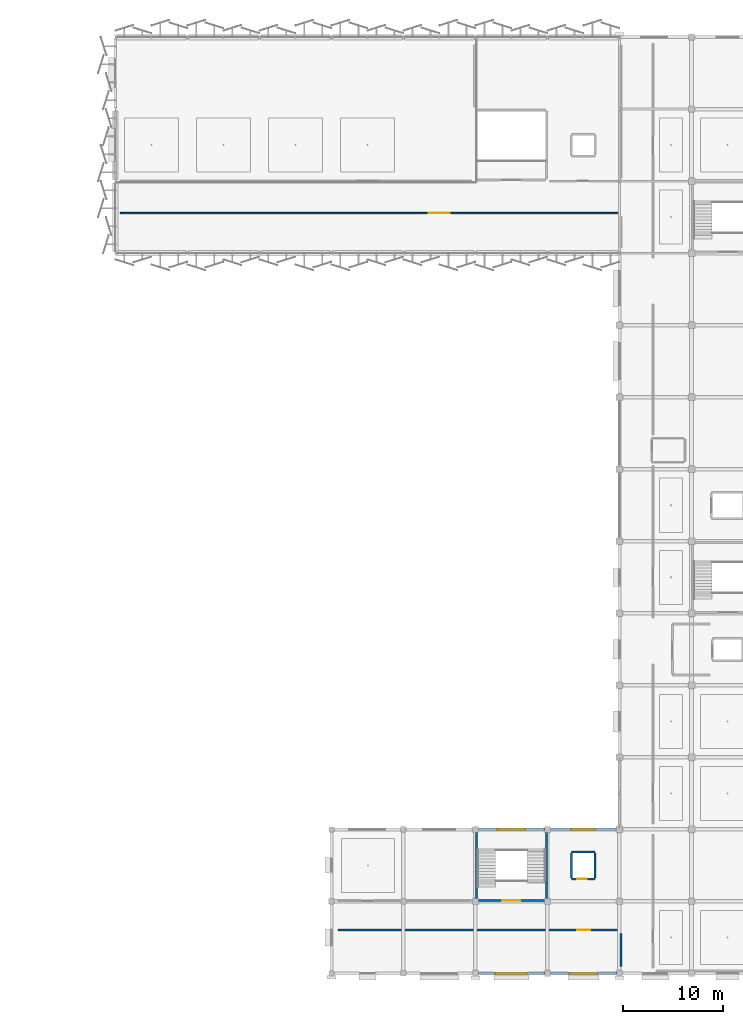
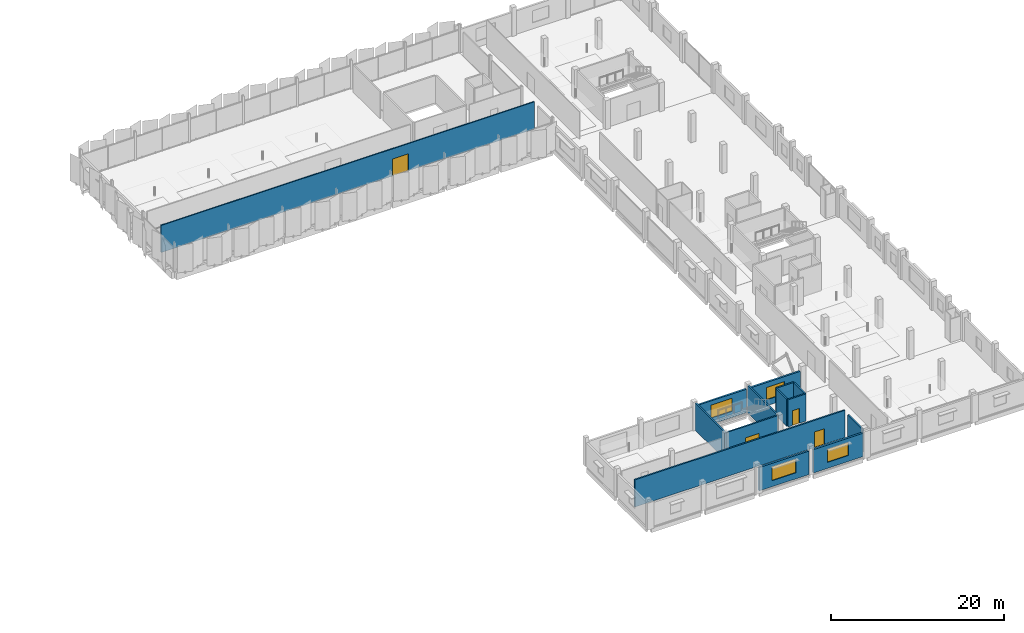
# One storey, part 56 of 77: 14 walls, 4 doors, 4 windows, 8 openings.
"""IFC4 building model written with IfcOpenShell, lengths in metres."""

from ifc_helpers import new_model, si_unit, direction, frame, frame_2d, origin, place, context, subcontext, project, spatial, rectangle, extrude, material, layer, layer_set, type_object, element, fill, save


model = new_model("IFC4")

# Units and contexts
model_context = context("Model", 3, precision=1e-05, world=origin(), true_north=direction((0.0, 1.0)))
body_context = subcontext(model_context, "Body", "Model", "MODEL_VIEW")
ifc_project = project(units=[si_unit("LENGTHUNIT", "METRE"), si_unit("AREAUNIT", "SQUARE_METRE"), si_unit("VOLUMEUNIT", "CUBIC_METRE"), si_unit("PLANEANGLEUNIT", "RADIAN"), si_unit("MASSUNIT", "GRAM", prefix="KILO")], contexts=[model_context])

# Site, building, storey
site_placement = place(None, origin())
site = spatial("IfcSite", under=ifc_project, at=site_placement, CompositionType="ELEMENT")
building_placement = place(site_placement, origin())
building = spatial("IfcBuilding", under=site, at=building_placement, Name="Kangsadwip Square Police Headquarters", CompositionType="ELEMENT")
storey_placement = place(building_placement, frame((0.0, 0.0, 17.550048828125)))
storey = spatial("IfcBuildingStorey", under=building, at=storey_placement, Name="L04", CompositionType="ELEMENT", Elevation=17.550048828125)

# Wall, opening, door
ifc_material_1 = material(Name="Autoclaved aerated concrete blockwork masonry", Category="masonry")
ifc_layer_1 = layer(ifc_material_1, 0.14990234375)
ifc_layer_set_1 = layer_set([ifc_layer_1], Name="Autoclaved aerated concrete blockwork masonry")
wall_type_1 = type_object("IfcWallType", Name="BlockPartition150", PredefinedType="PARTITIONING", material=ifc_layer_set_1)
wall_1_placement = place(storey_placement, frame((94.10009765625, 97.60009765625, 0.0), z_axis=(0.0, 0.0, 1.0), x_axis=(1.0, 0.0, 0.0)))
wall_1 = element("IfcWall", 1, at=wall_1_placement, inside=storey, type_object=wall_type_1, Name="Interior Wall WI-L04-0852", PredefinedType="PARTITIONING", context=body_context, shape_type="SweptSolid", body=[
    extrude(rectangle(XDim=49.75, YDim=0.14990234375, at=frame_2d((24.875, 0.0))), origin(), (0.0, 0.0, 1.0), 3.829833984375),
])
opening_1_placement = place(wall_1_placement, frame((30.846923828125, 0.0, 0.0)))
opening_1 = element("IfcOpeningElement", 2, at=opening_1_placement, cuts=wall_1, Name="Opening ID-21", PredefinedType="OPENING", context=body_context, shape_type="SweptSolid", body=[
    extrude(rectangle(XDim=2.10009765625, YDim=2.39990234375, at=frame_2d((1.050048828125, 1.199951171875))), frame((0.0, 0.0849609375, 0.0), z_axis=(0.0, -1.0, 0.0), x_axis=(1.0, 0.0, 0.0)), (0.0, 0.0, 1.0), 0.169921875),
])
ifc_material_2 = material(Name="Solid-core seasoned teak hardwood architectural door", Category="wood")
door_type_1 = type_object("IfcDoorType", Name="HallDoubleDoor2100x2400", OperationType="DOUBLE_DOOR_SINGLE_SWING", PredefinedType="DOOR", material=ifc_material_2)
door_1_placement = place(opening_1_placement, origin())
door_1 = element("IfcDoor", 3, at=door_1_placement, inside=storey, type_object=door_type_1, Name="Interior Door ID-L04-0227", OperationType="DOUBLE_DOOR_SINGLE_SWING", OverallHeight=2.39990234375, OverallWidth=2.10009765625, PredefinedType="DOOR", context=body_context, shape_type="SweptSolid", body=[
    extrude(rectangle(XDim=2.10009765625, YDim=2.39990234375, at=frame_2d((1.050048828125, 1.199951171875))), frame((0.0, 0.02490234375, 0.0), z_axis=(0.0, -1.0, 0.0), x_axis=(1.0, 0.0, 0.0)), (0.0, 0.0, 1.0), 0.050048828125),
])
fill(opening_1, door_1)

# Wall, opening, window
ifc_material_3 = material(Name="Glazed architectural terracotta masonry rainscreen", Category="masonry")
ifc_layer_2 = layer(ifc_material_3, 0.25)
ifc_layer_set_2 = layer_set([ifc_layer_2], Name="Glazed architectural terracotta masonry rainscreen")
wall_type_2 = type_object("IfcWallType", Name="ChicagoTerracottaWall250", PredefinedType="SOLIDWALL", material=ifc_layer_set_2)
wall_2_placement = place(storey_placement, frame((129.89501953125, 21.60009765625, 0.0), z_axis=(0.0, 0.0, 1.0), x_axis=(1.0, 0.0, 0.0)))
wall_2 = element("IfcWall", 4, at=wall_2_placement, inside=storey, type_object=wall_type_2, Name="Exterior Wall WE-L04-423", PredefinedType="SOLIDWALL", context=body_context, shape_type="SweptSolid", body=[
    extrude(rectangle(XDim=6.60986328125, YDim=0.25, at=frame_2d((3.304931640625, 0.0))), origin(), (0.0, 0.0, 1.0), 3.294921875),
])
opening_2_placement = place(wall_2_placement, frame((1.705078125, 0.0, 0.85009765625)))
opening_2 = element("IfcOpeningElement", 5, at=opening_2_placement, cuts=wall_2, Name="Opening WN-03", PredefinedType="OPENING", context=body_context, shape_type="SweptSolid", body=[
    extrude(rectangle(XDim=3.199951171875, YDim=1.949951171875, at=frame_2d((1.60009765625, 0.97509765625))), frame((0.0, 0.135009765625, 0.0), z_axis=(0.0, -1.0, 0.0), x_axis=(1.0, 0.0, 0.0)), (0.0, 0.0, 1.0), 0.27001953125),
])
ifc_material_4 = material(Name="Double-glazed solar-control low-E safety glass", Category="glass")
window_type_1 = type_object("IfcWindowType", Name="ChicagoTripartiteWin3200x1950", PartitioningType="TRIPLE_PANEL_HORIZONTAL", PredefinedType="WINDOW", material=ifc_material_4)
window_1_placement = place(opening_2_placement, origin())
window_1 = element("IfcWindow", 6, at=window_1_placement, inside=storey, type_object=window_type_1, Name="Window WN-L04-0274", OverallHeight=1.949951171875, OverallWidth=3.199951171875, PartitioningType="SINGLE_PANEL", PredefinedType="WINDOW", context=body_context, shape_type="SweptSolid", body=[
    extrude(rectangle(XDim=3.199951171875, YDim=1.949951171875, at=frame_2d((1.60009765625, 0.97509765625))), frame((0.0, 0.030029296875, 0.0), z_axis=(0.0, -1.0, 0.0), x_axis=(1.0, 0.0, 0.0)), (0.0, 0.0, 1.0), 0.06005859375),
])
fill(opening_2, window_1)

wall_3_placement = place(storey_placement, frame((137.094970703125, 21.60009765625, 0.0), z_axis=(0.0, 0.0, 1.0), x_axis=(1.0, 0.0, 0.0)))
wall_3 = element("IfcWall", 7, at=wall_3_placement, inside=storey, type_object=wall_type_2, Name="Exterior Wall WE-L04-424", PredefinedType="SOLIDWALL", context=body_context, shape_type="SweptSolid", body=[
    extrude(rectangle(XDim=6.610107421875, YDim=0.25, at=frame_2d((3.30517578125, 0.0))), origin(), (0.0, 0.0, 1.0), 3.294921875),
])
opening_3_placement = place(wall_3_placement, frame((1.905029296875, 0.0, 0.85009765625)))
opening_3 = element("IfcOpeningElement", 8, at=opening_3_placement, cuts=wall_3, Name="Opening WN-05", PredefinedType="OPENING", context=body_context, shape_type="SweptSolid", body=[
    extrude(rectangle(XDim=2.800048828125, YDim=1.85009765625, at=frame_2d((1.39990234375, 0.925048828125))), frame((0.0, 0.135009765625, 0.0), z_axis=(0.0, -1.0, 0.0), x_axis=(1.0, 0.0, 0.0)), (0.0, 0.0, 1.0), 0.27001953125),
])
ifc_material_5 = material(Name="Double-glazed solar-control low-E safety glass", Category="glass")
window_type_2 = type_object("IfcWindowType", Name="ChicagoDoubleMullWin2800x1850", PartitioningType="DOUBLE_PANEL_VERTICAL", PredefinedType="WINDOW", material=ifc_material_5)
window_2_placement = place(opening_3_placement, origin())
window_2 = element("IfcWindow", 9, at=window_2_placement, inside=storey, type_object=window_type_2, Name="Window WN-L04-0275", OverallHeight=1.85009765625, OverallWidth=2.800048828125, PartitioningType="SINGLE_PANEL", PredefinedType="WINDOW", context=body_context, shape_type="SweptSolid", body=[
    extrude(rectangle(XDim=2.800048828125, YDim=1.85009765625, at=frame_2d((1.39990234375, 0.925048828125))), frame((0.0, 0.030029296875, 0.0), z_axis=(0.0, -1.0, 0.0), x_axis=(1.0, 0.0, 0.0)), (0.0, 0.0, 1.0), 0.06005859375),
])
fill(opening_3, window_2)

wall_4_placement = place(storey_placement, frame((129.89501953125, 36.0, 0.0), z_axis=(0.0, 0.0, 1.0), x_axis=(1.0, 0.0, 0.0)))
wall_4 = element("IfcWall", 10, at=wall_4_placement, inside=storey, type_object=wall_type_2, Name="Exterior Wall WE-L04-433", PredefinedType="SOLIDWALL", context=body_context, shape_type="SweptSolid", body=[
    extrude(rectangle(XDim=6.60986328125, YDim=0.25, at=frame_2d((3.304931640625, 0.0))), origin(), (0.0, 0.0, 1.0), 3.294921875),
])
opening_4_placement = place(wall_4_placement, frame((1.905029296875, 0.0, 0.85009765625)))
opening_4 = element("IfcOpeningElement", 11, at=opening_4_placement, cuts=wall_4, Name="Opening WN-05", PredefinedType="OPENING", context=body_context, shape_type="SweptSolid", body=[
    extrude(rectangle(XDim=2.800048828125, YDim=1.85009765625, at=frame_2d((1.39990234375, 0.925048828125))), frame((0.0, 0.135009765625, 0.0), z_axis=(0.0, -1.0, 0.0), x_axis=(1.0, 0.0, 0.0)), (0.0, 0.0, 1.0), 0.27001953125),
])
window_3_placement = place(opening_4_placement, origin())
window_3 = element("IfcWindow", 12, at=window_3_placement, inside=storey, type_object=window_type_2, Name="Window WN-L04-0284", OverallHeight=1.85009765625, OverallWidth=2.800048828125, PartitioningType="SINGLE_PANEL", PredefinedType="WINDOW", context=body_context, shape_type="SweptSolid", body=[
    extrude(rectangle(XDim=2.800048828125, YDim=1.85009765625, at=frame_2d((1.39990234375, 0.925048828125))), frame((0.0, 0.030029296875, 0.0), z_axis=(0.0, -1.0, 0.0), x_axis=(1.0, 0.0, 0.0)), (0.0, 0.0, 1.0), 0.06005859375),
])
fill(opening_4, window_3)

wall_5_placement = place(storey_placement, frame((137.094970703125, 36.0, 0.0), z_axis=(0.0, 0.0, 1.0), x_axis=(1.0, 0.0, 0.0)))
wall_5 = element("IfcWall", 13, at=wall_5_placement, inside=storey, type_object=wall_type_2, Name="Exterior Wall WE-L04-434", PredefinedType="SOLIDWALL", context=body_context, shape_type="SweptSolid", body=[
    extrude(rectangle(XDim=6.5849609375, YDim=0.25, at=frame_2d((3.29248046875, 0.0))), origin(), (0.0, 0.0, 1.0), 3.294921875),
])
opening_5_placement = place(wall_5_placement, frame((2.092529296875, 0.0, 0.85009765625)))
opening_5 = element("IfcOpeningElement", 14, at=opening_5_placement, cuts=wall_5, Name="Opening WN-07", PredefinedType="OPENING", context=body_context, shape_type="SweptSolid", body=[
    extrude(rectangle(XDim=2.39990234375, YDim=1.75, at=frame_2d((1.199951171875, 0.875))), frame((0.0, 0.135009765625, 0.0), z_axis=(0.0, -1.0, 0.0), x_axis=(1.0, 0.0, 0.0)), (0.0, 0.0, 1.0), 0.27001953125),
])
ifc_material_6 = material(Name="Double-glazed solar-control low-E safety glass", Category="glass")
window_type_3 = type_object("IfcWindowType", Name="ChicagoDoubleMullWin2400x1750", PartitioningType="DOUBLE_PANEL_VERTICAL", PredefinedType="WINDOW", material=ifc_material_6)
window_4_placement = place(opening_5_placement, origin())
window_4 = element("IfcWindow", 15, at=window_4_placement, inside=storey, type_object=window_type_3, Name="Window WN-L04-0285", OverallHeight=1.75, OverallWidth=2.39990234375, PartitioningType="SINGLE_PANEL", PredefinedType="WINDOW", context=body_context, shape_type="SweptSolid", body=[
    extrude(rectangle(XDim=2.39990234375, YDim=1.75, at=frame_2d((1.199951171875, 0.875))), frame((0.0, 0.030029296875, 0.0), z_axis=(0.0, -1.0, 0.0), x_axis=(1.0, 0.0, 0.0)), (0.0, 0.0, 1.0), 0.06005859375),
])
fill(opening_5, window_4)

# Wall, opening, door
ifc_material_7 = material(Name="Concrete M40 (40 MPa)", Category="concrete")
ifc_layer_3 = layer(ifc_material_7, 0.199951171875)
ifc_layer_set_3 = layer_set([ifc_layer_3], Name="Concrete M40 (40 MPa)")
wall_type_3 = type_object("IfcWallType", Name="CoreShearWall200", PredefinedType="SHEAR", material=ifc_layer_set_3)
wall_6_placement = place(storey_placement, frame((129.800048828125, 28.89990234375, 0.0), z_axis=(0.0, 0.0, 1.0), x_axis=(1.0, 0.0, 0.0)))
wall_6 = element("IfcWall", 16, at=wall_6_placement, inside=storey, type_object=wall_type_3, Name="Interior Wall WI-L04-0193", PredefinedType="SHEAR", context=body_context, shape_type="SweptSolid", body=[
    extrude(rectangle(XDim=6.800048828125, YDim=0.199951171875, at=frame_2d((3.39990234375, 0.0))), origin(), (0.0, 0.0, 1.0), 3.829833984375),
])
opening_6_placement = place(wall_6_placement, frame((2.5, 0.0, 0.0)))
opening_6 = element("IfcOpeningElement", 17, at=opening_6_placement, cuts=wall_6, Name="Opening FD-18", PredefinedType="OPENING", context=body_context, shape_type="SweptSolid", body=[
    extrude(rectangle(XDim=1.800048828125, YDim=2.199951171875, at=frame_2d((0.89990234375, 1.10009765625))), frame((0.0, 0.10986328125, 0.0), z_axis=(0.0, -1.0, 0.0), x_axis=(1.0, 0.0, 0.0)), (0.0, 0.0, 1.0), 0.219970703125),
])
ifc_material_8 = material(Name="Insulated galvanized steel fire-rated door assembly", Category="steel")
door_type_2 = type_object("IfcDoorType", Name="StairFireDoor1800x2200", OperationType="DOUBLE_DOOR_SINGLE_SWING", PredefinedType="DOOR", material=ifc_material_8)
door_2_placement = place(opening_6_placement, origin())
door_2 = element("IfcDoor", 18, at=door_2_placement, inside=storey, type_object=door_type_2, Name="Interior Door ID-L04-0044", OperationType="DOUBLE_DOOR_SINGLE_SWING", OverallHeight=2.199951171875, OverallWidth=1.800048828125, PredefinedType="DOOR", context=body_context, shape_type="SweptSolid", body=[
    extrude(rectangle(XDim=1.800048828125, YDim=2.199951171875, at=frame_2d((0.89990234375, 1.10009765625))), frame((0.0, 0.02490234375, 0.0), z_axis=(0.0, -1.0, 0.0), x_axis=(1.0, 0.0, 0.0)), (0.0, 0.0, 1.0), 0.050048828125),
])
fill(opening_6, door_2)

# Walls
for number, where, z_axis, x_axis, name in (
    (19, (129.699951171875, 29.0, 0.0), (0.0, 0.0, 1.0), (0.0, 1.0, 0.0), "Interior Wall WI-L04-0194"),
    (20, (136.699951171875, 29.0, 0.0), (0.0, 0.0, 1.0), (0.0, 1.0, 0.0), "Interior Wall WI-L04-0195"),
):
    element("IfcWall", number, at=place(storey_placement, frame(where, z_axis=z_axis, x_axis=x_axis)), inside=storey, type_object=wall_type_3, Name=name, PredefinedType="SHEAR", context=body_context, shape_type="SweptSolid", body=[
        extrude(rectangle(XDim=6.800048828125, YDim=0.199951171875, at=frame_2d((3.39990234375, 0.0))), origin(), (0.0, 0.0, 1.0), 3.829833984375),
    ])

# Wall, opening, door
wall_7_placement = place(storey_placement, frame((139.22509765625, 31.050048828125, 0.0), z_axis=(0.0, 0.0, 1.0), x_axis=(1.0, 0.0, 0.0)))
wall_7 = element("IfcWall", 21, at=wall_7_placement, inside=storey, type_object=wall_type_3, Name="Interior Wall WI-L04-0503", PredefinedType="SHEAR", context=body_context, shape_type="SweptSolid", body=[
    extrude(rectangle(XDim=2.349853515625, YDim=0.199951171875, at=frame_2d((1.1748046875, 0.0))), origin(), (0.0, 0.0, 1.0), 3.829833984375),
])
opening_7_placement = place(wall_7_placement, frame((0.550048828125, 0.0, 0.0)))
opening_7 = element("IfcOpeningElement", 22, at=opening_7_placement, cuts=wall_7, Name="Opening LD-062", PredefinedType="OPENING", context=body_context, shape_type="SweptSolid", body=[
    extrude(rectangle(XDim=0.949951171875, YDim=2.10009765625, at=frame_2d((0.47509765625, 1.050048828125))), frame((0.0, 0.10986328125, 0.0), z_axis=(0.0, -1.0, 0.0), x_axis=(1.0, 0.0, 0.0)), (0.0, 0.0, 1.0), 0.219970703125),
])
ifc_material_9 = material(Name="Brushed stainless steel automatic sliding lift landing door", Category="steel")
door_type_3 = type_object("IfcDoorType", Name="LiftLandingDoor950x2100", OperationType="DOUBLE_DOOR_SLIDING", PredefinedType="DOOR", material=ifc_material_9)
door_3_placement = place(opening_7_placement, origin())
door_3 = element("IfcDoor", 23, at=door_3_placement, inside=storey, type_object=door_type_3, Name="Interior Door LD-062", OperationType="DOUBLE_DOOR_SLIDING", OverallHeight=2.10009765625, OverallWidth=0.949951171875, PredefinedType="DOOR", context=body_context, shape_type="SweptSolid", body=[
    extrude(rectangle(XDim=0.949951171875, YDim=2.10009765625, at=frame_2d((0.47509765625, 1.050048828125))), frame((0.0, 0.02490234375, 0.0), z_axis=(0.0, -1.0, 0.0), x_axis=(1.0, 0.0, 0.0)), (0.0, 0.0, 1.0), 0.050048828125),
])
fill(opening_7, door_3)

# Walls
wall_8_placement = place(storey_placement, frame((139.22509765625, 33.75, 0.0), z_axis=(0.0, 0.0, 1.0), x_axis=(1.0, 0.0, 0.0)))
element("IfcWall", 24, at=wall_8_placement, inside=storey, type_object=wall_type_3, Name="Interior Wall WI-L04-0504", PredefinedType="SHEAR", context=body_context, shape_type="SweptSolid", body=[
    extrude(rectangle(XDim=2.349853515625, YDim=0.199951171875, at=frame_2d((1.1748046875, 0.0))), origin(), (0.0, 0.0, 1.0), 3.829833984375),
])
for number, where, z_axis, x_axis, name in (
    (25, (139.22509765625, 31.14990234375, 0.0), (0.0, 0.0, 1.0), (0.0, 1.0, 0.0), "Interior Wall WI-L04-0505"),
    (26, (141.574951171875, 31.14990234375, 0.0), (0.0, 0.0, 1.0), (0.0, 1.0, 0.0), "Interior Wall WI-L04-0506"),
):
    element("IfcWall", number, at=place(storey_placement, frame(where, z_axis=z_axis, x_axis=x_axis)), inside=storey, type_object=wall_type_3, Name=name, PredefinedType="SHEAR", context=body_context, shape_type="SweptSolid", body=[
        extrude(rectangle(XDim=2.5, YDim=0.199951171875, at=frame_2d((1.25, 0.0))), origin(), (0.0, 0.0, 1.0), 3.829833984375),
    ])
ifc_material_10 = material(Name="Concrete M40 (40 MPa)", Category="concrete")
ifc_layer_4 = layer(ifc_material_10, 0.199951171875)
ifc_layer_set_4 = layer_set([ifc_layer_4], Name="Concrete M40 (40 MPa)")
wall_type_4 = type_object("IfcWallType", Name="CustodySecurityWall200", PredefinedType="SOLIDWALL", material=ifc_layer_set_4)
wall_9_placement = place(storey_placement, frame((144.14990234375, 22.300048828125, 0.0), z_axis=(0.0, 0.0, 1.0), x_axis=(0.0, 1.0, 0.0)))
element("IfcWall", 27, at=wall_9_placement, inside=storey, type_object=wall_type_4, Name="Interior Wall WI-L04-0865", PredefinedType="SOLIDWALL", context=body_context, shape_type="SweptSolid", body=[
    extrude(rectangle(XDim=3.300048828125, YDim=0.199951171875, at=frame_2d((1.64990234375, 0.0))), origin(), (0.0, 0.0, 1.0), 3.27001953125),
])

# Wall, opening, door
wall_10_placement = place(storey_placement, frame((115.85009765625, 25.949951171875, 0.0), z_axis=(0.0, 0.0, 1.0), x_axis=(1.0, 0.0, 0.0)))
wall_10 = element("IfcWall", 28, at=wall_10_placement, inside=storey, type_object=wall_type_4, Name="Interior Wall WI-L04-0866", PredefinedType="SOLIDWALL", context=body_context, shape_type="SweptSolid", body=[
    extrude(rectangle(XDim=28.0, YDim=0.199951171875, at=frame_2d((14.0, 0.0))), origin(), (0.0, 0.0, 1.0), 3.829833984375),
])
opening_8_placement = place(wall_10_placement, frame((23.930908203125, 0.0, 0.0)))
opening_8 = element("IfcOpeningElement", 29, at=opening_8_placement, cuts=wall_10, Name="Opening FD-13", PredefinedType="OPENING", context=body_context, shape_type="SweptSolid", body=[
    extrude(rectangle(XDim=1.300048828125, YDim=2.199951171875, at=frame_2d((0.64990234375, 1.10009765625))), frame((0.0, 0.10986328125, 0.0), z_axis=(0.0, -1.0, 0.0), x_axis=(1.0, 0.0, 0.0)), (0.0, 0.0, 1.0), 0.219970703125),
])
ifc_material_11 = material(Name="Insulated galvanized steel fire-rated door assembly", Category="steel")
door_type_4 = type_object("IfcDoorType", Name="VaultHeavyDoor1300x2200", OperationType="NOTDEFINED", PredefinedType="DOOR", material=ifc_material_11)
door_4_placement = place(opening_8_placement, origin())
door_4 = element("IfcDoor", 30, at=door_4_placement, inside=storey, type_object=door_type_4, Name="Interior Door ID-L04-0236", OperationType="SINGLE_SWING_LEFT", OverallHeight=2.199951171875, OverallWidth=1.300048828125, PredefinedType="DOOR", context=body_context, shape_type="SweptSolid", body=[
    extrude(rectangle(XDim=1.300048828125, YDim=2.199951171875, at=frame_2d((0.64990234375, 1.10009765625))), frame((0.0, 0.02490234375, 0.0), z_axis=(0.0, -1.0, 0.0), x_axis=(1.0, 0.0, 0.0)), (0.0, 0.0, 1.0), 0.050048828125),
])
fill(opening_8, door_4)

save(model, "model.ifc")
